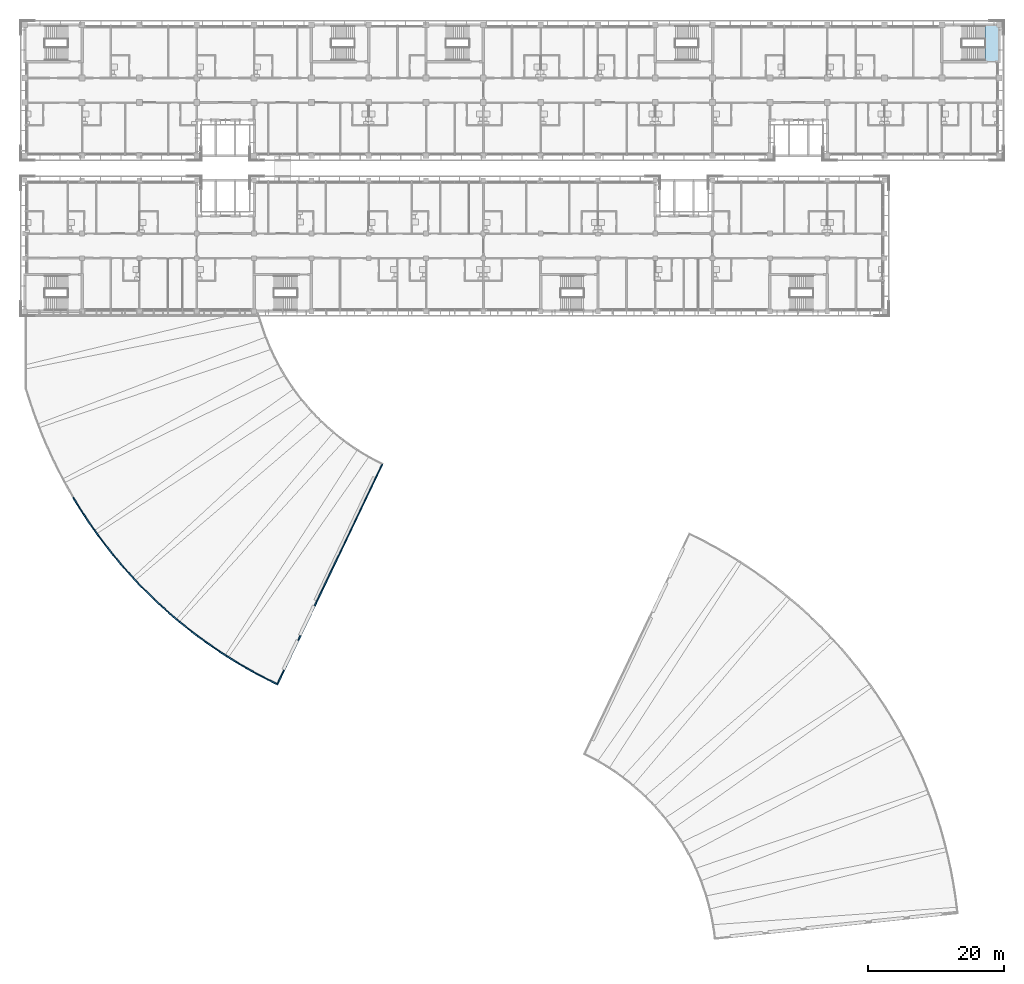
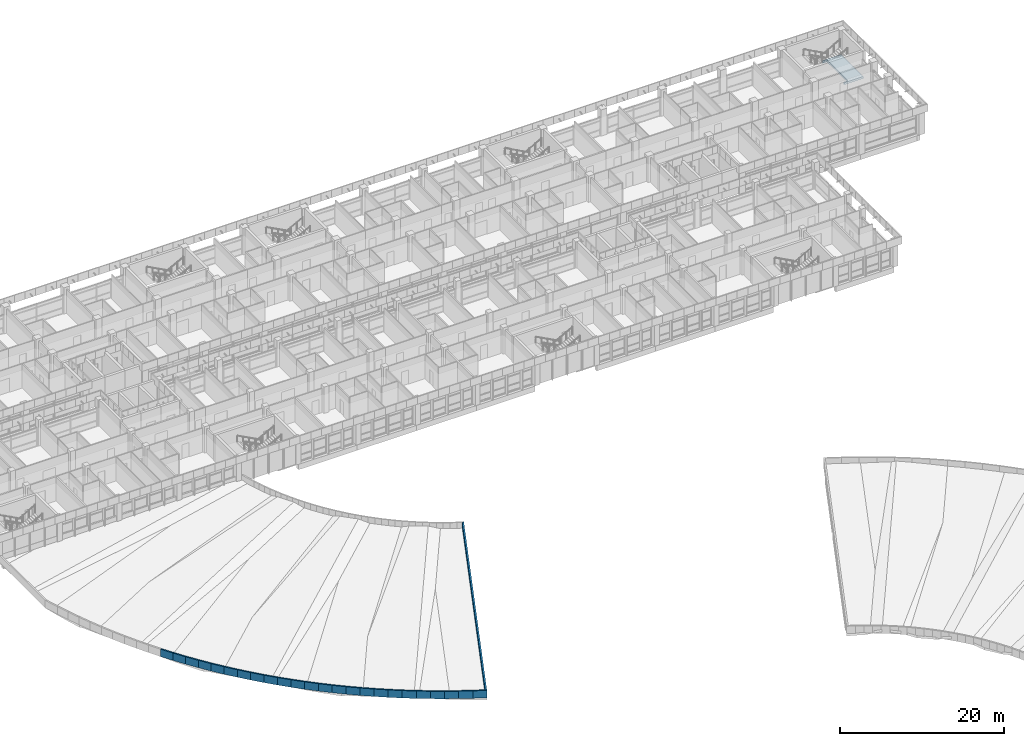
# One storey, part 27 of 74: 25 walls, 1 slab.
"""IFC4 building model written with IfcOpenShell, lengths in metres."""

from ifc_helpers import new_model, si_unit, direction, frame, origin, place, context, subcontext, project, spatial, polyline, outline, extrude, material, layer, layer_set, type_object, element, save


model = new_model("IFC4")

# Units and contexts
model_context = context("Model", 3, precision=1e-05, world=origin(), true_north=direction((0.0, 1.0)))
body_context = subcontext(model_context, "Body", "Model", "MODEL_VIEW")
ifc_project = project(units=[si_unit("LENGTHUNIT", "METRE"), si_unit("AREAUNIT", "SQUARE_METRE"), si_unit("VOLUMEUNIT", "CUBIC_METRE"), si_unit("PLANEANGLEUNIT", "RADIAN"), si_unit("MASSUNIT", "GRAM", prefix="KILO")], contexts=[model_context])

# Site, building, storey
site_placement = place(None, origin())
site = spatial("IfcSite", under=ifc_project, at=site_placement, CompositionType="ELEMENT")
building_placement = place(site_placement, origin())
building = spatial("IfcBuilding", under=site, at=building_placement, Name="Bougainvillea Quay General Hospital", CompositionType="ELEMENT")
storey_placement = place(building_placement, frame((0.0, 0.0, 21.0)))
storey = spatial("IfcBuildingStorey", under=building, at=storey_placement, Name="L04", CompositionType="ELEMENT", Elevation=21.0)

# Slab
ifc_material_1 = material(Name="Concrete C35", Category="concrete")
ifc_layer_1 = layer(ifc_material_1, 0.300048828125)
ifc_layer_set_1 = layer_set([ifc_layer_1], Name="Concrete C35")
slab_type = type_object("IfcSlabType", Name="RC FLAT SLAB 300 C35", PredefinedType="FLOOR", material=ifc_layer_set_1)
slab_placement = place(storey_placement, frame((0.0, 0.0, -0.300048828125)))
element("IfcSlab", 1, at=slab_placement, inside=storey, type_object=slab_type, Name="Stair landing floor ST-A4 L04", PredefinedType="FLOOR", context=body_context, shape_type="SweptSolid", body=[
    extrude(outline(polyline([(182.102783203125, 159.48388671875), (182.111572265625, 159.5419921875), (182.1259765625, 159.599609375), (184.800048828125, 159.60009765625), (184.800048828125, 154.199951171875), (182.1259765625, 154.200439453125), (182.111572265625, 154.2578125), (182.102783203125, 154.316162109375), (182.10009765625, 154.3740234375), (182.70068359375, 154.374267578125), (182.70068359375, 159.425537109375), (182.10009765625, 159.426025390625), (182.102783203125, 159.48388671875)])), origin(), (0.0, 0.0, 1.0), 0.300048828125),
])

# Walls
ifc_material_2 = material(Name="Concrete C35 upstand, painted white", Category="concrete")
ifc_layer_2 = layer(ifc_material_2, 0.199951171875)
ifc_layer_set_2 = layer_set([ifc_layer_2], Name="Concrete C35 upstand, painted white")
wall_type = type_object("IfcWallType", Name="Roof parapet wall 200", PredefinedType="PARAPET", material=ifc_layer_set_2)
wall_1_placement = place(storey_placement, origin())
element("IfcWall", 2, at=wall_1_placement, inside=storey, type_object=wall_type, Name="Roof parapet 0 1", PredefinedType="PARAPET", context=body_context, shape_type="SweptSolid", body=[
    extrude(outline(polyline([(71.649658203125, 67.16064453125), (71.5419921875, 66.991943359375), (70.10302734375, 67.93603515625), (70.21484375, 68.101806640625), (71.649658203125, 67.16064453125)])), origin(), (0.0, 0.0, 1.0), 1.10009765625),
])
wall_2_placement = place(storey_placement, origin())
element("IfcWall", 3, at=wall_2_placement, inside=storey, type_object=wall_type, Name="Roof parapet 0 2", PredefinedType="PARAPET", context=body_context, shape_type="SweptSolid", body=[
    extrude(outline(polyline([(73.1083984375, 66.255126953125), (73.0048828125, 66.083984375), (71.5419921875, 66.991943359375), (71.649658203125, 67.16064453125), (73.1083984375, 66.255126953125)])), origin(), (0.0, 0.0, 1.0), 1.10009765625),
])
wall_3_placement = place(storey_placement, origin())
element("IfcWall", 4, at=wall_3_placement, inside=storey, type_object=wall_type, Name="Roof parapet 0 3", PredefinedType="PARAPET", context=body_context, shape_type="SweptSolid", body=[
    extrude(outline(polyline([(74.588134765625, 65.3857421875), (74.489013671875, 65.2119140625), (73.0048828125, 66.083984375), (73.1083984375, 66.255126953125), (74.588134765625, 65.3857421875)])), origin(), (0.0, 0.0, 1.0), 1.10009765625),
])
wall_4_placement = place(storey_placement, origin())
element("IfcWall", 5, at=wall_4_placement, inside=storey, type_object=wall_type, Name="Roof parapet 0 4", PredefinedType="PARAPET", context=body_context, shape_type="SweptSolid", body=[
    extrude(outline(polyline([(76.0888671875, 64.552978515625), (75.993896484375, 64.376953125), (74.489013671875, 65.2119140625), (74.588134765625, 65.3857421875), (76.0888671875, 64.552978515625)])), origin(), (0.0, 0.0, 1.0), 1.10009765625),
])
wall_5_placement = place(storey_placement, origin())
element("IfcWall", 6, at=wall_5_placement, inside=storey, type_object=wall_type, Name="Roof parapet 0 5", PredefinedType="PARAPET", context=body_context, shape_type="SweptSolid", body=[
    extrude(outline(polyline([(77.610595703125, 63.75732421875), (77.52001953125, 63.5791015625), (75.993896484375, 64.376953125), (76.0888671875, 64.552978515625), (77.610595703125, 63.75732421875)])), origin(), (0.0, 0.0, 1.0), 1.10009765625),
])
wall_6_placement = place(storey_placement, origin())
element("IfcWall", 7, at=wall_6_placement, inside=storey, type_object=wall_type, Name="Roof parapet 0 6", PredefinedType="PARAPET", context=body_context, shape_type="SweptSolid", body=[
    extrude(outline(polyline([(78.970703125, 63.087890625), (79.06396484375, 62.819091796875), (77.52001953125, 63.5791015625), (77.610595703125, 63.75732421875), (78.970703125, 63.087890625)])), origin(), (0.0, 0.0, 1.0), 1.10009765625),
])
wall_7_placement = place(storey_placement, origin())
element("IfcWall", 8, at=wall_7_placement, inside=storey, type_object=wall_type, Name="Roof parapet 0 7", PredefinedType="PARAPET", context=body_context, shape_type="SweptSolid", body=[
    extrude(outline(polyline([(94.29736328125, 95.2197265625), (94.56298828125, 95.31201171875), (79.06396484375, 62.819091796875), (78.970703125, 63.087890625), (94.29736328125, 95.2197265625)])), origin(), (0.0, 0.0, 1.0), 1.10009765625),
])
wall_8_placement = place(storey_placement, origin())
element("IfcWall", 9, at=wall_8_placement, inside=storey, type_object=wall_type, Name="Roof parapet 0 54", PredefinedType="PARAPET", context=body_context, shape_type="SweptSolid", body=[
    extrude(outline(polyline([(50.0654296875, 88.918212890625), (49.89599609375, 88.81201171875), (48.9990234375, 90.281005859375), (49.1708984375, 90.383056640625), (50.0654296875, 88.918212890625)])), origin(), (0.0, 0.0, 1.0), 1.10009765625),
])
wall_9_placement = place(storey_placement, origin())
element("IfcWall", 10, at=wall_9_placement, inside=storey, type_object=wall_type, Name="Roof parapet 0 55", PredefinedType="PARAPET", context=body_context, shape_type="SweptSolid", body=[
    extrude(outline(polyline([(50.994873046875, 87.474365234375), (50.827880859375, 87.364013671875), (49.89599609375, 88.81201171875), (50.0654296875, 88.918212890625), (50.994873046875, 87.474365234375)])), origin(), (0.0, 0.0, 1.0), 1.10009765625),
])
wall_10_placement = place(storey_placement, origin())
element("IfcWall", 11, at=wall_10_placement, inside=storey, type_object=wall_type, Name="Roof parapet 0 56", PredefinedType="PARAPET", context=body_context, shape_type="SweptSolid", body=[
    extrude(outline(polyline([(51.9599609375, 86.055419921875), (51.7958984375, 85.94091796875), (50.827880859375, 87.364013671875), (50.994873046875, 87.474365234375), (51.9599609375, 86.055419921875)])), origin(), (0.0, 0.0, 1.0), 1.10009765625),
])
wall_11_placement = place(storey_placement, origin())
element("IfcWall", 12, at=wall_11_placement, inside=storey, type_object=wall_type, Name="Roof parapet 0 57", PredefinedType="PARAPET", context=body_context, shape_type="SweptSolid", body=[
    extrude(outline(polyline([(52.959228515625, 84.659423828125), (52.798095703125, 84.541015625), (51.7958984375, 85.94091796875), (51.9599609375, 86.055419921875), (52.959228515625, 84.659423828125)])), origin(), (0.0, 0.0, 1.0), 1.10009765625),
])
wall_12_placement = place(storey_placement, origin())
element("IfcWall", 13, at=wall_12_placement, inside=storey, type_object=wall_type, Name="Roof parapet 0 58", PredefinedType="PARAPET", context=body_context, shape_type="SweptSolid", body=[
    extrude(outline(polyline([(53.9931640625, 83.289306640625), (53.8349609375, 83.1669921875), (52.798095703125, 84.541015625), (52.959228515625, 84.659423828125), (53.9931640625, 83.289306640625)])), origin(), (0.0, 0.0, 1.0), 1.10009765625),
])
wall_13_placement = place(storey_placement, origin())
element("IfcWall", 14, at=wall_13_placement, inside=storey, type_object=wall_type, Name="Roof parapet 0 59", PredefinedType="PARAPET", context=body_context, shape_type="SweptSolid", body=[
    extrude(outline(polyline([(55.06005859375, 81.9443359375), (54.905029296875, 81.818115234375), (53.8349609375, 83.1669921875), (53.9931640625, 83.289306640625), (55.06005859375, 81.9443359375)])), origin(), (0.0, 0.0, 1.0), 1.10009765625),
])
wall_14_placement = place(storey_placement, origin())
element("IfcWall", 15, at=wall_14_placement, inside=storey, type_object=wall_type, Name="Roof parapet 0 60", PredefinedType="PARAPET", context=body_context, shape_type="SweptSolid", body=[
    extrude(outline(polyline([(56.159912109375, 80.6259765625), (56.008056640625, 80.49609375), (54.905029296875, 81.818115234375), (55.06005859375, 81.9443359375), (56.159912109375, 80.6259765625)])), origin(), (0.0, 0.0, 1.0), 1.10009765625),
])
wall_15_placement = place(storey_placement, origin())
element("IfcWall", 16, at=wall_15_placement, inside=storey, type_object=wall_type, Name="Roof parapet 0 61", PredefinedType="PARAPET", context=body_context, shape_type="SweptSolid", body=[
    extrude(outline(polyline([(57.291748046875, 79.335693359375), (57.14306640625, 79.201904296875), (56.008056640625, 80.49609375), (56.159912109375, 80.6259765625), (57.291748046875, 79.335693359375)])), origin(), (0.0, 0.0, 1.0), 1.10009765625),
])
wall_16_placement = place(storey_placement, origin())
element("IfcWall", 17, at=wall_16_placement, inside=storey, type_object=wall_type, Name="Roof parapet 0 62", PredefinedType="PARAPET", context=body_context, shape_type="SweptSolid", body=[
    extrude(outline(polyline([(58.454345703125, 78.0732421875), (58.30908203125, 77.93603515625), (57.14306640625, 79.201904296875), (57.291748046875, 79.335693359375), (58.454345703125, 78.0732421875)])), origin(), (0.0, 0.0, 1.0), 1.10009765625),
])
wall_17_placement = place(storey_placement, origin())
element("IfcWall", 18, at=wall_17_placement, inside=storey, type_object=wall_type, Name="Roof parapet 0 63", PredefinedType="PARAPET", context=body_context, shape_type="SweptSolid", body=[
    extrude(outline(polyline([(59.64892578125, 76.83984375), (59.507080078125, 76.698974609375), (58.30908203125, 77.93603515625), (58.454345703125, 78.0732421875), (59.64892578125, 76.83984375)])), origin(), (0.0, 0.0, 1.0), 1.10009765625),
])
wall_18_placement = place(storey_placement, origin())
element("IfcWall", 19, at=wall_18_placement, inside=storey, type_object=wall_type, Name="Roof parapet 0 64", PredefinedType="PARAPET", context=body_context, shape_type="SweptSolid", body=[
    extrude(outline(polyline([(60.87255859375, 75.63623046875), (60.73388671875, 75.491943359375), (59.507080078125, 76.698974609375), (59.64892578125, 76.83984375), (60.87255859375, 75.63623046875)])), origin(), (0.0, 0.0, 1.0), 1.10009765625),
])
wall_19_placement = place(storey_placement, origin())
element("IfcWall", 20, at=wall_19_placement, inside=storey, type_object=wall_type, Name="Roof parapet 0 65", PredefinedType="PARAPET", context=body_context, shape_type="SweptSolid", body=[
    extrude(outline(polyline([(62.1259765625, 74.463623046875), (61.990966796875, 74.31591796875), (60.73388671875, 75.491943359375), (60.87255859375, 75.63623046875), (62.1259765625, 74.463623046875)])), origin(), (0.0, 0.0, 1.0), 1.10009765625),
])
wall_20_placement = place(storey_placement, origin())
element("IfcWall", 21, at=wall_20_placement, inside=storey, type_object=wall_type, Name="Roof parapet 0 66", PredefinedType="PARAPET", context=body_context, shape_type="SweptSolid", body=[
    extrude(outline(polyline([(63.4072265625, 73.321044921875), (63.27587890625, 73.169921875), (61.990966796875, 74.31591796875), (62.1259765625, 74.463623046875), (63.4072265625, 73.321044921875)])), origin(), (0.0, 0.0, 1.0), 1.10009765625),
])
wall_21_placement = place(storey_placement, origin())
element("IfcWall", 22, at=wall_21_placement, inside=storey, type_object=wall_type, Name="Roof parapet 0 67", PredefinedType="PARAPET", context=body_context, shape_type="SweptSolid", body=[
    extrude(outline(polyline([(64.716552734375, 72.211181640625), (64.589111328125, 72.056884765625), (63.27587890625, 73.169921875), (63.4072265625, 73.321044921875), (64.716552734375, 72.211181640625)])), origin(), (0.0, 0.0, 1.0), 1.10009765625),
])
wall_22_placement = place(storey_placement, origin())
element("IfcWall", 23, at=wall_22_placement, inside=storey, type_object=wall_type, Name="Roof parapet 0 68", PredefinedType="PARAPET", context=body_context, shape_type="SweptSolid", body=[
    extrude(outline(polyline([(66.052734375, 71.13330078125), (65.928955078125, 70.97607421875), (64.589111328125, 72.056884765625), (64.716552734375, 72.211181640625), (66.052734375, 71.13330078125)])), origin(), (0.0, 0.0, 1.0), 1.10009765625),
])
wall_23_placement = place(storey_placement, origin())
element("IfcWall", 24, at=wall_23_placement, inside=storey, type_object=wall_type, Name="Roof parapet 0 69", PredefinedType="PARAPET", context=body_context, shape_type="SweptSolid", body=[
    extrude(outline(polyline([(67.414794921875, 70.089111328125), (67.294921875, 69.928955078125), (65.928955078125, 70.97607421875), (66.052734375, 71.13330078125), (67.414794921875, 70.089111328125)])), origin(), (0.0, 0.0, 1.0), 1.10009765625),
])
wall_24_placement = place(storey_placement, origin())
element("IfcWall", 25, at=wall_24_placement, inside=storey, type_object=wall_type, Name="Roof parapet 0 70", PredefinedType="PARAPET", context=body_context, shape_type="SweptSolid", body=[
    extrude(outline(polyline([(68.802734375, 69.078125), (68.68701171875, 68.9150390625), (67.294921875, 69.928955078125), (67.414794921875, 70.089111328125), (68.802734375, 69.078125)])), origin(), (0.0, 0.0, 1.0), 1.10009765625),
])
wall_25_placement = place(storey_placement, origin())
element("IfcWall", 26, at=wall_25_placement, inside=storey, type_object=wall_type, Name="Roof parapet 0 71", PredefinedType="PARAPET", context=body_context, shape_type="SweptSolid", body=[
    extrude(outline(polyline([(70.21484375, 68.101806640625), (70.10302734375, 67.93603515625), (68.68701171875, 68.9150390625), (68.802734375, 69.078125), (70.21484375, 68.101806640625)])), origin(), (0.0, 0.0, 1.0), 1.10009765625),
])

save(model, "model.ifc")
